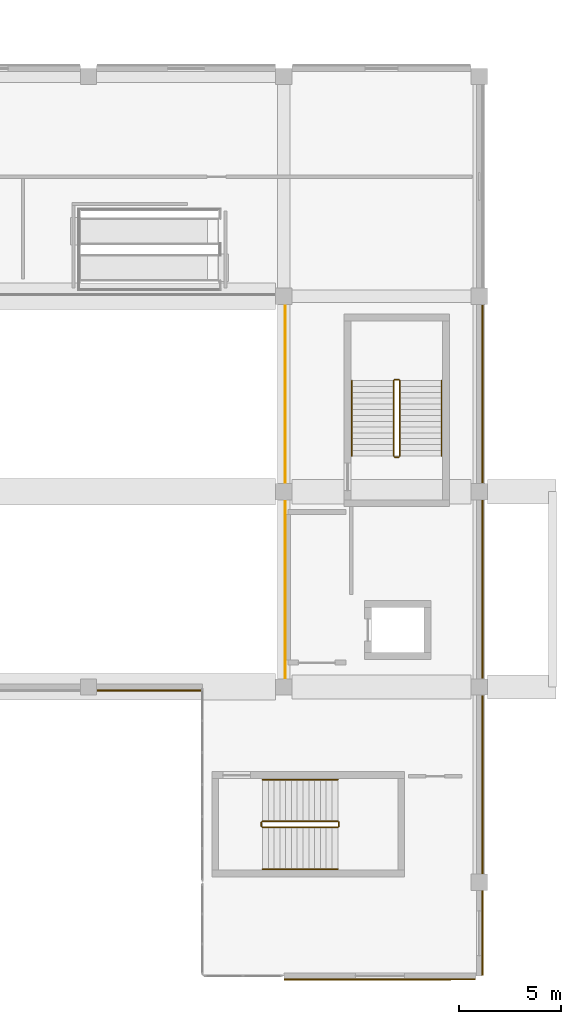
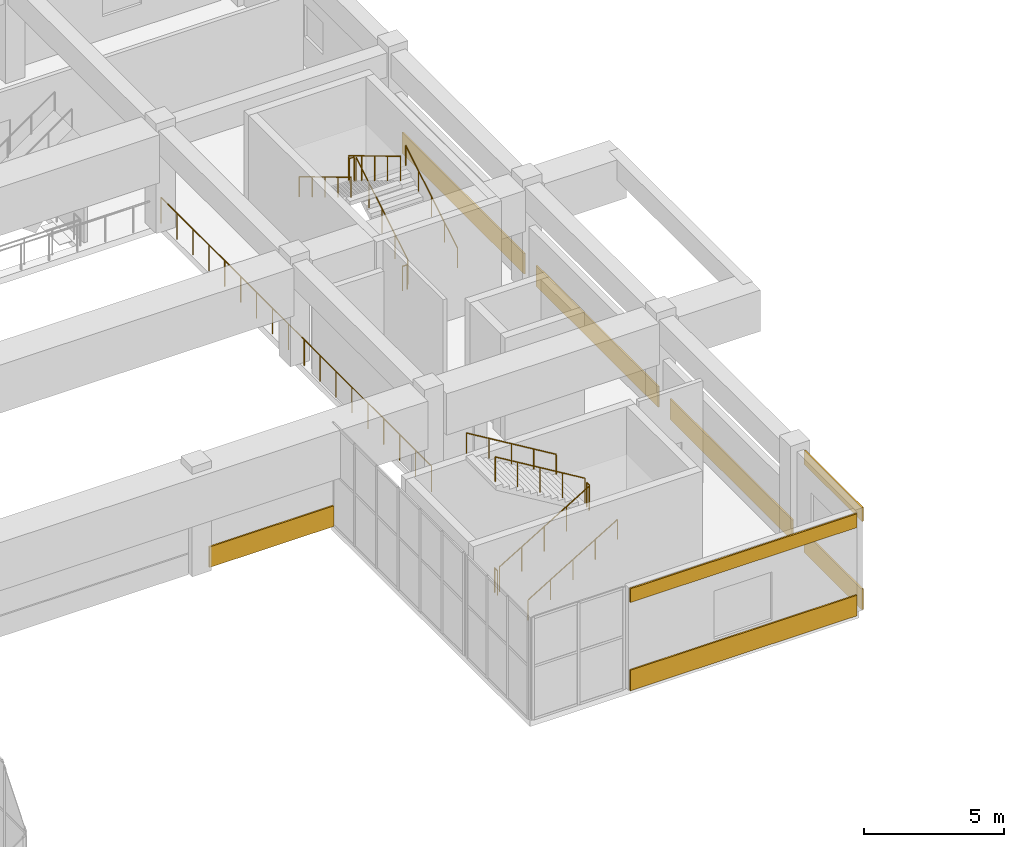
# One storey, part 29 of 33: 13 railings, 8 coverings.
"""IFC4 building model written with IfcOpenShell, lengths in metres."""

from ifc_helpers import new_model, si_unit, direction, frame, origin, origin_2d, place, context, subcontext, project, spatial, rectangle, circle, extrude, material, layer, layer_set, type_object, element, save


model = new_model("IFC4")

# Units and contexts
model_context = context("Model", 3, precision=1e-05, world=origin(), true_north=direction((0.0, 1.0)))
body_context = subcontext(model_context, "Body", "Model", "MODEL_VIEW")
ifc_project = project(units=[si_unit("LENGTHUNIT", "METRE"), si_unit("AREAUNIT", "SQUARE_METRE"), si_unit("VOLUMEUNIT", "CUBIC_METRE"), si_unit("PLANEANGLEUNIT", "RADIAN"), si_unit("MASSUNIT", "GRAM", prefix="KILO")], contexts=[model_context])

# Site, building, storey
site_placement = place(None, origin())
site = spatial("IfcSite", under=ifc_project, at=site_placement, CompositionType="ELEMENT")
building_placement = place(site_placement, origin())
building = spatial("IfcBuilding", under=site, at=building_placement, Name="Cendralis Terraced Arcade", CompositionType="ELEMENT")
storey_placement = place(building_placement, frame((0.0, 0.0, 19.800048828125)))
storey = spatial("IfcBuildingStorey", under=building, at=storey_placement, Name="L04", CompositionType="ELEMENT", Elevation=19.800048828125)

# Coverings
ifc_material_1 = material(Name="Precast concrete f'c 40 MPa", Category="concrete")
ifc_layer = layer(ifc_material_1, 0.06494140625, Name="COV-CLAD-GRC-65")
ifc_layer_set = layer_set([ifc_layer], Name="Precast concrete f'c 40 MPa")
covering_type = type_object("IfcCoveringType", Name="COV-CLAD-GRC-65", PredefinedType="CLADDING", material=ifc_layer_set)
for number, where, z_axis, x_axis, name in (
    (1, (57.77001953125, 33.60009765625, 0.0), (0.0, 0.0, 1.0), (0.0, -1.0, 0.0), "Banded Precast Stone Spandrel Cladding L04-465"),
    (2, (57.77001953125, 24.0, 0.0), (0.0, 0.0, 1.0), (0.0, -1.0, 0.0), "Banded Precast Stone Spandrel Cladding L04-466"),
    (3, (57.77001953125, 14.39990234375, 0.0), (0.0, 0.0, 1.0), (0.0, -1.0, 0.0), "Banded Precast Stone Spandrel Cladding L04-467"),
):
    element("IfcCovering", number, at=place(storey_placement, frame(where, z_axis=z_axis, x_axis=x_axis)), inside=storey, type_object=covering_type, Name=name, PredefinedType="CLADDING", context=body_context, shape_type="SweptSolid", body=[
        extrude(rectangle(XDim=8.743896484375, YDim=0.06494140625, at=origin_2d()), origin(), (0.0, 0.0, 1.0), 0.89990234375),
    ])
covering_1_placement = place(storey_placement, frame((57.77001953125, 7.10107421875, 0.0), z_axis=(0.0, 0.0, 1.0), x_axis=(0.0, -1.0, 0.0)))
element("IfcCovering", 4, at=covering_1_placement, inside=storey, type_object=covering_type, Name="Banded Precast Stone Spandrel Cladding L04-468", PredefinedType="CLADDING", context=body_context, shape_type="SweptSolid", body=[
    extrude(rectangle(XDim=4.14208984375, YDim=0.06494140625, at=origin_2d()), origin(), (0.0, 0.0, 1.0), 0.89990234375),
])
covering_2_placement = place(storey_placement, frame((57.77001953125, 7.10107421875, 3.85986328125), z_axis=(0.0, 0.0, 1.0), x_axis=(0.0, -1.0, 0.0)))
element("IfcCovering", 5, at=covering_2_placement, inside=storey, type_object=covering_type, Name="Banded Precast Stone Lintel Cladding L04-469", PredefinedType="CLADDING", context=body_context, shape_type="SweptSolid", body=[
    extrude(rectangle(XDim=4.14208984375, YDim=0.06494140625, at=origin_2d()), origin(), (0.0, 0.0, 1.0), 0.60009765625),
])
covering_3_placement = place(storey_placement, frame((52.719970703125, 4.830078125, 0.0), z_axis=(0.0, 0.0, 1.0), x_axis=(-1.0, 0.0, 0.0)))
element("IfcCovering", 6, at=covering_3_placement, inside=storey, type_object=covering_type, Name="Banded Precast Stone Spandrel Cladding L04-470", PredefinedType="CLADDING", context=body_context, shape_type="SweptSolid", body=[
    extrude(rectangle(XDim=9.3798828125, YDim=0.06494140625, at=origin_2d()), origin(), (0.0, 0.0, 1.0), 0.89990234375),
])
covering_4_placement = place(storey_placement, frame((52.719970703125, 4.830078125, 3.85986328125), z_axis=(0.0, 0.0, 1.0), x_axis=(-1.0, 0.0, 0.0)))
element("IfcCovering", 7, at=covering_4_placement, inside=storey, type_object=covering_type, Name="Banded Precast Stone Lintel Cladding L04-471", PredefinedType="CLADDING", context=body_context, shape_type="SweptSolid", body=[
    extrude(rectangle(XDim=9.3798828125, YDim=0.06494140625, at=origin_2d()), origin(), (0.0, 0.0, 1.0), 0.60009765625),
])
covering_5_placement = place(storey_placement, frame((41.39892578125, 19.030029296875, 0.0), z_axis=(0.0, 0.0, 1.0), x_axis=(-1.0, 0.0, 0.0)))
element("IfcCovering", 8, at=covering_5_placement, inside=storey, type_object=covering_type, Name="Banded Precast Stone Spandrel Cladding L04-472", PredefinedType="CLADDING", context=body_context, shape_type="SweptSolid", body=[
    extrude(rectangle(XDim=5.14208984375, YDim=0.06494140625, at=origin_2d()), origin(), (0.0, 0.0, 1.0), 0.89990234375),
])

# Railings
ifc_material_2 = material(Name="Brushed stainless steel AISI 316", Category="steel")
railing_type_1 = type_object("IfcRailingType", Name="RL-STAIR-GUARD-1100", PredefinedType="GUARDRAIL", material=ifc_material_2)
railing_1_placement = place(storey_placement, frame((46.949951171875, 12.300048828125, 0.17138671875)))
element("IfcRailing", 9, at=railing_1_placement, inside=storey, type_object=railing_type_1, Name="L04 ST-03 stair guard 1", PredefinedType="GUARDRAIL", context=body_context, shape_type="SweptSolid", body=[
    extrude(circle(Radius=0.02392578125, at=origin_2d()), frame((0.0, 0.0, 1.076171875), z_axis=(0.856934400257, 0.0, 0.515425487977), x_axis=(0.0, 1.0, 0.0)), (0.0, 0.0, 1.0), 4.32373046875),
    extrude(circle(Radius=0.02099609375, at=origin_2d()), origin(), (0.0, 0.0, 1.0), 1.052001953125),
    extrude(circle(Radius=0.02099609375, at=origin_2d()), frame((0.92626953125, 0.0, 0.55712890625)), (0.0, 0.0, 1.0), 1.052001953125),
    extrude(circle(Radius=0.02099609375, at=origin_2d()), frame((1.8525390625, 0.0, 1.1142578125)), (0.0, 0.0, 1.0), 1.052001953125),
    extrude(circle(Radius=0.02099609375, at=origin_2d()), frame((2.77880859375, 0.0, 1.67138671875)), (0.0, 0.0, 1.0), 1.052001953125),
    extrude(circle(Radius=0.02099609375, at=origin_2d()), frame((3.705078125, 0.0, 2.228515625)), (0.0, 0.0, 1.0), 1.052001953125),
])
railing_2_placement = place(storey_placement, frame((50.705078125, 12.35009765625, 2.39990234375)))
element("IfcRailing", 10, at=railing_2_placement, inside=storey, type_object=railing_type_1, Name="L04 ST-03 stair guard 2", PredefinedType="GUARDRAIL", context=body_context, shape_type="SweptSolid", body=[
    extrude(circle(Radius=0.02392578125, at=origin_2d()), frame((0.0, 0.0, 1.076171875), z_axis=(0.0, 1.0, 0.0), x_axis=(-1.0, 0.0, 0.0)), (0.0, 0.0, 1.0), 0.199951171875),
    extrude(circle(Radius=0.02099609375, at=origin_2d()), origin(), (0.0, 0.0, 1.0), 1.052001953125),
    extrude(circle(Radius=0.02099609375, at=origin_2d()), frame((0.0, 0.199951171875, 0.0)), (0.0, 0.0, 1.0), 1.052001953125),
])
railing_3_placement = place(storey_placement, frame((50.655029296875, 12.60009765625, 2.5712890625)))
element("IfcRailing", 11, at=railing_3_placement, inside=storey, type_object=railing_type_1, Name="L04 ST-03 stair guard 3", PredefinedType="GUARDRAIL", context=body_context, shape_type="SweptSolid", body=[
    extrude(circle(Radius=0.02392578125, at=origin_2d()), frame((0.0, 0.0, 1.076171875), z_axis=(-0.856909459561, 0.0, 0.515466951525), x_axis=(0.0, -1.0, 0.0)), (0.0, 0.0, 1.0), 4.32373046875),
    extrude(circle(Radius=0.02099609375, at=origin_2d()), origin(), (0.0, 0.0, 1.0), 1.052001953125),
    extrude(circle(Radius=0.02099609375, at=origin_2d()), frame((-0.92626953125, 0.0, 0.55712890625)), (0.0, 0.0, 1.0), 1.052001953125),
    extrude(circle(Radius=0.02099609375, at=origin_2d()), frame((-1.8525390625, 0.0, 1.1142578125)), (0.0, 0.0, 1.0), 1.052001953125),
    extrude(circle(Radius=0.02099609375, at=origin_2d()), frame((-2.77880859375, 0.0, 1.671630859375)), (0.0, 0.0, 1.0), 1.052001953125),
    extrude(circle(Radius=0.02099609375, at=origin_2d()), frame((-3.705078125, 0.0, 2.228759765625)), (0.0, 0.0, 1.0), 1.052001953125),
])
railing_4_placement = place(storey_placement, frame((46.89990234375, 12.35009765625, 0.0)))
element("IfcRailing", 12, at=railing_4_placement, inside=storey, type_object=railing_type_1, Name="L04 ST-03 stair guard 4", PredefinedType="GUARDRAIL", context=body_context, shape_type="SweptSolid", body=[
    extrude(circle(Radius=0.02392578125, at=origin_2d()), frame((0.0, 0.0, 1.076171875), z_axis=(0.0, 1.0, 0.0), x_axis=(-1.0, 0.0, 0.0)), (0.0, 0.0, 1.0), 0.199951171875),
    extrude(circle(Radius=0.02099609375, at=origin_2d()), origin(), (0.0, 0.0, 1.0), 1.052001953125),
    extrude(circle(Radius=0.02099609375, at=origin_2d()), frame((0.0, 0.199951171875, 0.0)), (0.0, 0.0, 1.0), 1.052001953125),
])
railing_5_placement = place(storey_placement, frame((53.699951171875, 30.550048828125, 0.17138671875)))
element("IfcRailing", 13, at=railing_5_placement, inside=storey, type_object=railing_type_1, Name="L04 ST-04 stair guard 1", PredefinedType="GUARDRAIL", context=body_context, shape_type="SweptSolid", body=[
    extrude(circle(Radius=0.02392578125, at=origin_2d()), frame((0.0, 0.0, 1.076171875), z_axis=(0.0, 0.856919398105, 0.515450429384), x_axis=(-1.0, 0.0, 0.0)), (0.0, 0.0, 1.0), 4.323486328125),
    extrude(circle(Radius=0.02099609375, at=origin_2d()), origin(), (0.0, 0.0, 1.0), 1.052001953125),
    extrude(circle(Radius=0.02099609375, at=origin_2d()), frame((0.0, 0.92626953125, 0.55712890625)), (0.0, 0.0, 1.0), 1.052001953125),
    extrude(circle(Radius=0.02099609375, at=origin_2d()), frame((0.0, 1.8525390625, 1.1142578125)), (0.0, 0.0, 1.0), 1.052001953125),
    extrude(circle(Radius=0.02099609375, at=origin_2d()), frame((0.0, 2.778564453125, 1.67138671875)), (0.0, 0.0, 1.0), 1.052001953125),
    extrude(circle(Radius=0.02099609375, at=origin_2d()), frame((0.0, 3.704833984375, 2.228515625)), (0.0, 0.0, 1.0), 1.052001953125),
])
railing_6_placement = place(storey_placement, frame((53.64990234375, 34.304931640625, 2.39990234375)))
element("IfcRailing", 14, at=railing_6_placement, inside=storey, type_object=railing_type_1, Name="L04 ST-04 stair guard 2", PredefinedType="GUARDRAIL", context=body_context, shape_type="SweptSolid", body=[
    extrude(circle(Radius=0.02392578125, at=origin_2d()), frame((0.0, 0.0, 1.076171875), z_axis=(-1.0, 0.0, 0.0), x_axis=(0.0, -1.0, 0.0)), (0.0, 0.0, 1.0), 0.199951171875),
    extrude(circle(Radius=0.02099609375, at=origin_2d()), origin(), (0.0, 0.0, 1.0), 1.052001953125),
    extrude(circle(Radius=0.02099609375, at=origin_2d()), frame((-0.199951171875, 0.0, 0.0)), (0.0, 0.0, 1.0), 1.052001953125),
])
railing_7_placement = place(storey_placement, frame((53.39990234375, 34.2548828125, 2.5712890625)))
element("IfcRailing", 15, at=railing_7_placement, inside=storey, type_object=railing_type_1, Name="L04 ST-04 stair guard 3", PredefinedType="GUARDRAIL", context=body_context, shape_type="SweptSolid", body=[
    extrude(circle(Radius=0.02392578125, at=origin_2d()), frame((0.0, 0.0, 1.076171875), z_axis=(0.0, -0.856894455432, 0.515491893485), x_axis=(1.0, 0.0, 0.0)), (0.0, 0.0, 1.0), 4.323486328125),
    extrude(circle(Radius=0.02099609375, at=origin_2d()), origin(), (0.0, 0.0, 1.0), 1.052001953125),
    extrude(circle(Radius=0.02099609375, at=origin_2d()), frame((0.0, -0.92626953125, 0.55712890625)), (0.0, 0.0, 1.0), 1.052001953125),
    extrude(circle(Radius=0.02099609375, at=origin_2d()), frame((0.0, -1.8525390625, 1.1142578125)), (0.0, 0.0, 1.0), 1.052001953125),
    extrude(circle(Radius=0.02099609375, at=origin_2d()), frame((0.0, -2.778564453125, 1.671630859375)), (0.0, 0.0, 1.0), 1.052001953125),
    extrude(circle(Radius=0.02099609375, at=origin_2d()), frame((0.0, -3.704833984375, 2.228759765625)), (0.0, 0.0, 1.0), 1.052001953125),
])
railing_8_placement = place(storey_placement, frame((53.64990234375, 30.5, 0.0)))
element("IfcRailing", 16, at=railing_8_placement, inside=storey, type_object=railing_type_1, Name="L04 ST-04 stair guard 4", PredefinedType="GUARDRAIL", context=body_context, shape_type="SweptSolid", body=[
    extrude(circle(Radius=0.02392578125, at=origin_2d()), frame((0.0, 0.0, 1.076171875), z_axis=(-1.0, 0.0, 0.0), x_axis=(0.0, -1.0, 0.0)), (0.0, 0.0, 1.0), 0.199951171875),
    extrude(circle(Radius=0.02099609375, at=origin_2d()), origin(), (0.0, 0.0, 1.0), 1.052001953125),
    extrude(circle(Radius=0.02099609375, at=origin_2d()), frame((-0.199951171875, 0.0, 0.0)), (0.0, 0.0, 1.0), 1.052001953125),
])
railing_type_2 = type_object("IfcRailingType", Name="RL-STAIR-HAND-900", PredefinedType="HANDRAIL", material=ifc_material_2)
railing_9_placement = place(storey_placement, frame((46.949951171875, 10.25, 0.17138671875)))
element("IfcRailing", 17, at=railing_9_placement, inside=storey, type_object=railing_type_2, Name="L04 ST-03 stair handrail 1", PredefinedType="HANDRAIL", context=body_context, shape_type="SweptSolid", body=[
    extrude(circle(Radius=0.02392578125, at=origin_2d()), frame((0.0, 0.0, 0.8759765625), z_axis=(0.856934400257, 0.0, 0.515425487977), x_axis=(0.0, 1.0, 0.0)), (0.0, 0.0, 1.0), 4.32373046875),
    extrude(circle(Radius=0.02099609375, at=origin_2d()), origin(), (0.0, 0.0, 1.0), 0.851806640625),
    extrude(circle(Radius=0.02099609375, at=origin_2d()), frame((0.92626953125, 0.0, 0.55712890625)), (0.0, 0.0, 1.0), 0.851806640625),
    extrude(circle(Radius=0.02099609375, at=origin_2d()), frame((1.8525390625, 0.0, 1.1142578125)), (0.0, 0.0, 1.0), 0.851806640625),
    extrude(circle(Radius=0.02099609375, at=origin_2d()), frame((2.77880859375, 0.0, 1.67138671875)), (0.0, 0.0, 1.0), 0.851806640625),
    extrude(circle(Radius=0.02099609375, at=origin_2d()), frame((3.705078125, 0.0, 2.228515625)), (0.0, 0.0, 1.0), 0.851806640625),
])
railing_10_placement = place(storey_placement, frame((50.655029296875, 14.64990234375, 2.5712890625)))
element("IfcRailing", 18, at=railing_10_placement, inside=storey, type_object=railing_type_2, Name="L04 ST-03 stair handrail 2", PredefinedType="HANDRAIL", context=body_context, shape_type="SweptSolid", body=[
    extrude(circle(Radius=0.02392578125, at=origin_2d()), frame((0.0, 0.0, 0.8759765625), z_axis=(-0.856909459561, 0.0, 0.515466951525), x_axis=(0.0, -1.0, 0.0)), (0.0, 0.0, 1.0), 4.32373046875),
    extrude(circle(Radius=0.02099609375, at=origin_2d()), origin(), (0.0, 0.0, 1.0), 0.851806640625),
    extrude(circle(Radius=0.02099609375, at=origin_2d()), frame((-0.92626953125, 0.0, 0.55712890625)), (0.0, 0.0, 1.0), 0.851806640625),
    extrude(circle(Radius=0.02099609375, at=origin_2d()), frame((-1.8525390625, 0.0, 1.1142578125)), (0.0, 0.0, 1.0), 0.851806640625),
    extrude(circle(Radius=0.02099609375, at=origin_2d()), frame((-2.77880859375, 0.0, 1.671630859375)), (0.0, 0.0, 1.0), 0.851806640625),
    extrude(circle(Radius=0.02099609375, at=origin_2d()), frame((-3.705078125, 0.0, 2.228759765625)), (0.0, 0.0, 1.0), 0.851806640625),
])
railing_11_placement = place(storey_placement, frame((55.75, 30.550048828125, 0.17138671875)))
element("IfcRailing", 19, at=railing_11_placement, inside=storey, type_object=railing_type_2, Name="L04 ST-04 stair handrail 1", PredefinedType="HANDRAIL", context=body_context, shape_type="SweptSolid", body=[
    extrude(circle(Radius=0.02392578125, at=origin_2d()), frame((0.0, 0.0, 0.8759765625), z_axis=(0.0, 0.856919398105, 0.515450429384), x_axis=(-1.0, 0.0, 0.0)), (0.0, 0.0, 1.0), 4.323486328125),
    extrude(circle(Radius=0.02099609375, at=origin_2d()), origin(), (0.0, 0.0, 1.0), 0.851806640625),
    extrude(circle(Radius=0.02099609375, at=origin_2d()), frame((0.0, 0.92626953125, 0.55712890625)), (0.0, 0.0, 1.0), 0.851806640625),
    extrude(circle(Radius=0.02099609375, at=origin_2d()), frame((0.0, 1.8525390625, 1.1142578125)), (0.0, 0.0, 1.0), 0.851806640625),
    extrude(circle(Radius=0.02099609375, at=origin_2d()), frame((0.0, 2.778564453125, 1.67138671875)), (0.0, 0.0, 1.0), 0.851806640625),
    extrude(circle(Radius=0.02099609375, at=origin_2d()), frame((0.0, 3.704833984375, 2.228515625)), (0.0, 0.0, 1.0), 0.851806640625),
])
railing_12_placement = place(storey_placement, frame((51.35009765625, 34.2548828125, 2.5712890625)))
element("IfcRailing", 20, at=railing_12_placement, inside=storey, type_object=railing_type_2, Name="L04 ST-04 stair handrail 2", PredefinedType="HANDRAIL", context=body_context, shape_type="SweptSolid", body=[
    extrude(circle(Radius=0.02392578125, at=origin_2d()), frame((0.0, 0.0, 0.8759765625), z_axis=(0.0, -0.856894455432, 0.515491893485), x_axis=(1.0, 0.0, 0.0)), (0.0, 0.0, 1.0), 4.323486328125),
    extrude(circle(Radius=0.02099609375, at=origin_2d()), origin(), (0.0, 0.0, 1.0), 0.851806640625),
    extrude(circle(Radius=0.02099609375, at=origin_2d()), frame((0.0, -0.92626953125, 0.55712890625)), (0.0, 0.0, 1.0), 0.851806640625),
    extrude(circle(Radius=0.02099609375, at=origin_2d()), frame((0.0, -1.8525390625, 1.1142578125)), (0.0, 0.0, 1.0), 0.851806640625),
    extrude(circle(Radius=0.02099609375, at=origin_2d()), frame((0.0, -2.778564453125, 1.671630859375)), (0.0, 0.0, 1.0), 0.851806640625),
    extrude(circle(Radius=0.02099609375, at=origin_2d()), frame((0.0, -3.704833984375, 2.228759765625)), (0.0, 0.0, 1.0), 0.851806640625),
])
railing_type_3 = type_object("IfcRailingType", Name="RL-VOID-BAL-1150", PredefinedType="BALUSTRADE", material=ifc_material_2)
railing_13_placement = place(storey_placement, frame((48.080078125, 19.1201171875, 0.0)))
element("IfcRailing", 21, at=railing_13_placement, inside=storey, type_object=railing_type_3, Name="Atrium and Arcade Gallery Balustrade L04-066", PredefinedType="BALUSTRADE", context=body_context, shape_type="SweptSolid", body=[
    extrude(circle(Radius=0.02392578125, at=origin_2d()), frame((0.0, 0.0, 1.1259765625), z_axis=(0.0, 1.0, 0.0), x_axis=(-1.0, 0.0, 0.0)), (0.0, 0.0, 1.0), 19.35986328125),
    extrude(circle(Radius=0.02099609375, at=origin_2d()), origin(), (0.0, 0.0, 1.0), 1.101806640625),
    extrude(circle(Radius=0.02099609375, at=origin_2d()), frame((0.0, 1.138916015625, 0.0)), (0.0, 0.0, 1.0), 1.101806640625),
    extrude(circle(Radius=0.02099609375, at=origin_2d()), frame((0.0, 2.277587890625, 0.0)), (0.0, 0.0, 1.0), 1.101806640625),
    extrude(circle(Radius=0.02099609375, at=origin_2d()), frame((0.0, 3.41650390625, 0.0)), (0.0, 0.0, 1.0), 1.101806640625),
    extrude(circle(Radius=0.02099609375, at=origin_2d()), frame((0.0, 4.55517578125, 0.0)), (0.0, 0.0, 1.0), 1.101806640625),
    extrude(circle(Radius=0.02099609375, at=origin_2d()), frame((0.0, 5.694091796875, 0.0)), (0.0, 0.0, 1.0), 1.101806640625),
    extrude(circle(Radius=0.02099609375, at=origin_2d()), frame((0.0, 6.8330078125, 0.0)), (0.0, 0.0, 1.0), 1.101806640625),
    extrude(circle(Radius=0.02099609375, at=origin_2d()), frame((0.0, 7.9716796875, 0.0)), (0.0, 0.0, 1.0), 1.101806640625),
    extrude(circle(Radius=0.02099609375, at=origin_2d()), frame((0.0, 9.110595703125, 0.0)), (0.0, 0.0, 1.0), 1.101806640625),
    extrude(circle(Radius=0.02099609375, at=origin_2d()), frame((0.0, 10.249267578125, 0.0)), (0.0, 0.0, 1.0), 1.101806640625),
    extrude(circle(Radius=0.02099609375, at=origin_2d()), frame((0.0, 11.38818359375, 0.0)), (0.0, 0.0, 1.0), 1.101806640625),
    extrude(circle(Radius=0.02099609375, at=origin_2d()), frame((0.0, 12.52685546875, 0.0)), (0.0, 0.0, 1.0), 1.101806640625),
    extrude(circle(Radius=0.02099609375, at=origin_2d()), frame((0.0, 13.665771484375, 0.0)), (0.0, 0.0, 1.0), 1.101806640625),
    extrude(circle(Radius=0.02099609375, at=origin_2d()), frame((0.0, 14.8046875, 0.0)), (0.0, 0.0, 1.0), 1.101806640625),
    extrude(circle(Radius=0.02099609375, at=origin_2d()), frame((0.0, 15.943359375, 0.0)), (0.0, 0.0, 1.0), 1.101806640625),
    extrude(circle(Radius=0.02099609375, at=origin_2d()), frame((0.0, 17.082275390625, 0.0)), (0.0, 0.0, 1.0), 1.101806640625),
    extrude(circle(Radius=0.02099609375, at=origin_2d()), frame((0.0, 18.220947265625, 0.0)), (0.0, 0.0, 1.0), 1.101806640625),
    extrude(circle(Radius=0.02099609375, at=origin_2d()), frame((0.0, 19.35986328125, 0.0)), (0.0, 0.0, 1.0), 1.101806640625),
])

save(model, "model.ifc")
